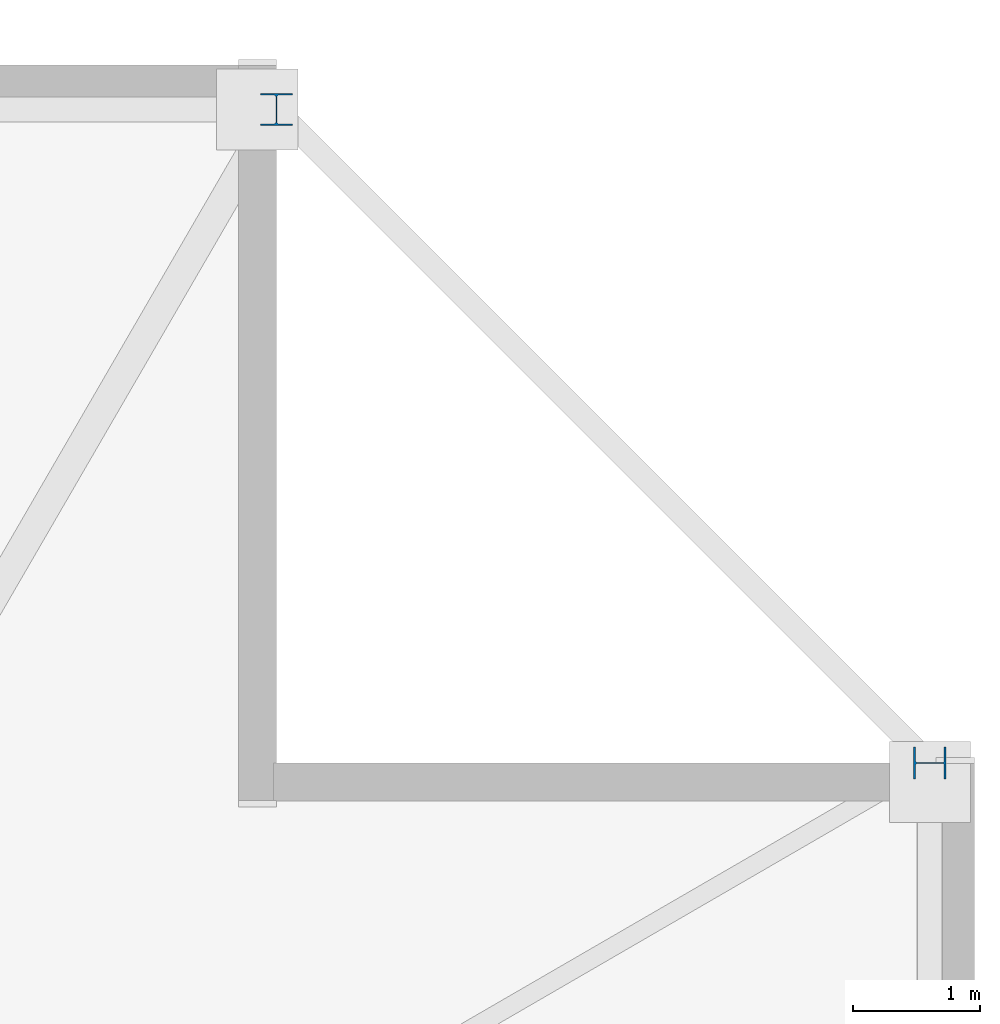
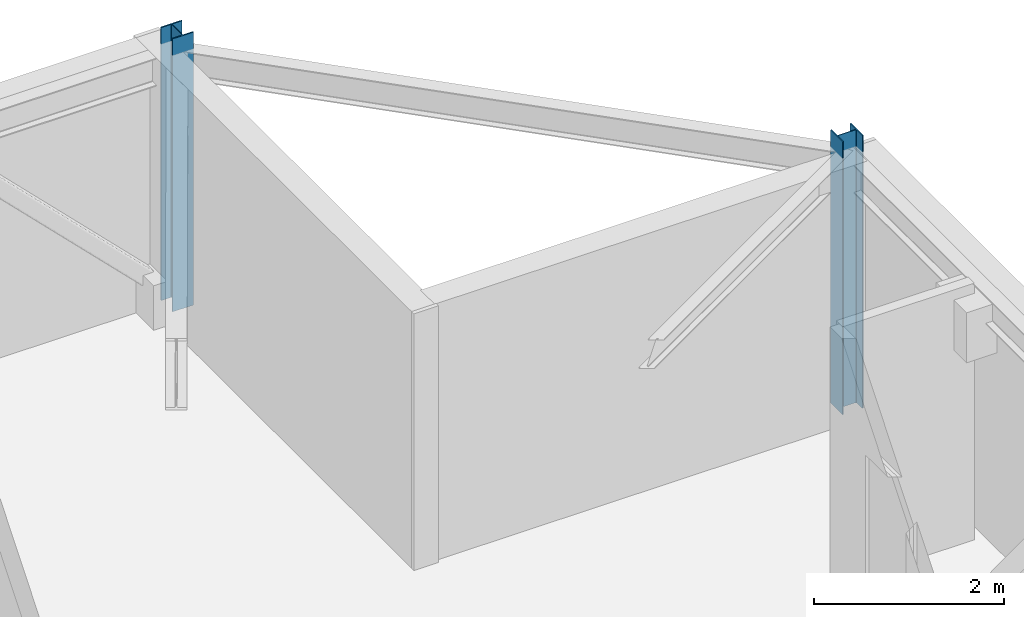
# One storey, part 5 of 15: 2 columns.
"""IFC4 building model written with IfcOpenShell, lengths in metres."""

from ifc_helpers import new_model, si_unit, direction, frame, origin, origin_2d, place, context, subcontext, project, spatial, i_section, extrude, material, material_profile, profile_set, type_object, element, save


model = new_model("IFC4")

# Units and contexts
model_context = context("Model", 3, precision=1e-05, world=origin(), true_north=direction((0.0, 1.0)))
body_context = subcontext(model_context, "Body", "Model", "MODEL_VIEW")
ifc_project = project(units=[si_unit("LENGTHUNIT", "METRE"), si_unit("AREAUNIT", "SQUARE_METRE"), si_unit("VOLUMEUNIT", "CUBIC_METRE"), si_unit("PLANEANGLEUNIT", "RADIAN"), si_unit("MASSUNIT", "GRAM", prefix="KILO")], contexts=[model_context])

# Site, building, storey
site_placement = place(None, origin())
site = spatial("IfcSite", under=ifc_project, at=site_placement, CompositionType="ELEMENT")
building_placement = place(site_placement, origin())
building = spatial("IfcBuilding", under=site, at=building_placement, Name="Cairnveth Concourse Tower", CompositionType="ELEMENT")
storey_placement = place(building_placement, frame((0.0, 0.0, 305.0)))
storey = spatial("IfcBuildingStorey", under=building, at=storey_placement, Name="L84", CompositionType="ELEMENT", Elevation=305.0)

# Columns
ifc_material = material(Name="Steel Grade 350", Category="steel")
ifc_material_profile = material_profile(ifc_material, i_section(OverallWidth=0.25390625, OverallDepth=0.25390625, WebThickness=0.008544921875, FlangeThickness=0.01416015625, FilletRadius=0.012939453125, at=origin_2d()), Name="250UC72.9")
ifc_profile_set = profile_set([ifc_material_profile], Name="Steel Grade 350")
column_type = type_object("IfcColumnType", Name="UNIVERSAL STEEL COLUMN 250UC72.9", PredefinedType="COLUMN", material=ifc_profile_set)
for number, where, z_axis, x_axis, name in (
    (1, (72.64990234375, 54.5, 0.0), (0.0, 0.0, 1.0), (0.0, 1.0, 0.0), "Column P-E4 L84"),
    (2, (67.5, 59.64990234375, 0.0), (0.0, 0.0, 1.0), (1.0, 0.0, 0.0), "Column P-N1 L84"),
):
    element("IfcColumn", number, at=place(storey_placement, frame(where, z_axis=z_axis, x_axis=x_axis)), inside=storey, type_object=column_type, Name=name, PredefinedType="COLUMN", context=body_context, shape_type="SweptSolid", body=[
        extrude(i_section(OverallWidth=0.25390625, OverallDepth=0.25390625, WebThickness=0.008544921875, FlangeThickness=0.01416015625, FilletRadius=0.012939453125, at=origin_2d()), origin(), (0.0, 0.0, 1.0), 3.5),
    ])

save(model, "model.ifc")
